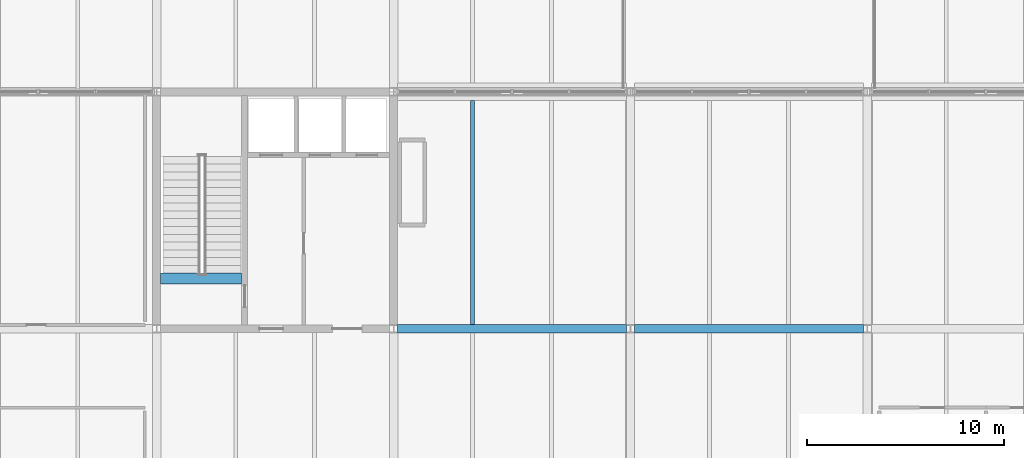
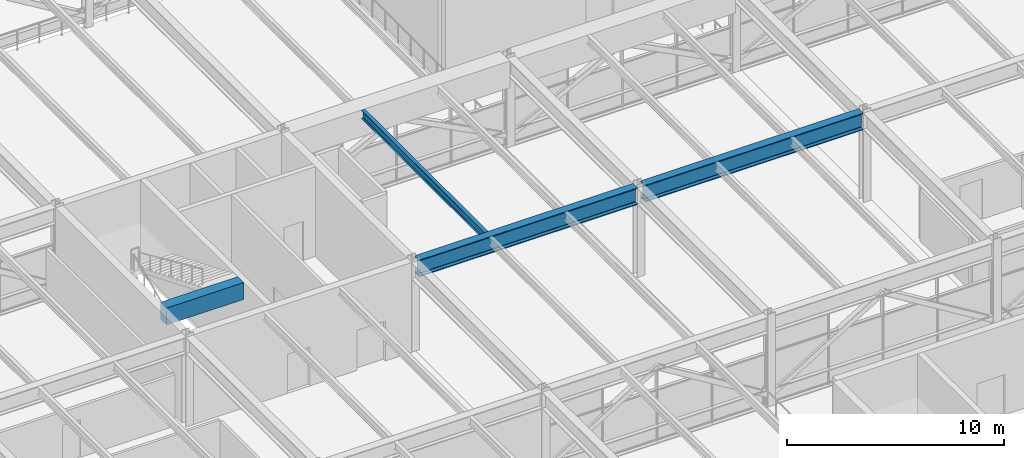
# One storey, part 14 of 42: 4 beams.
"""IFC4 building model written with IfcOpenShell, lengths in metres."""

from ifc_helpers import new_model, si_unit, direction, frame, origin, origin_2d, place, context, subcontext, project, spatial, rectangle, i_section, extrude, material, material_profile, profile_set, type_object, element, save


model = new_model("IFC4")

# Units and contexts
model_context = context("Model", 3, precision=1e-05, world=origin(), true_north=direction((0.0, 1.0)))
body_context = subcontext(model_context, "Body", "Model", "MODEL_VIEW")
ifc_project = project(units=[si_unit("LENGTHUNIT", "METRE"), si_unit("AREAUNIT", "SQUARE_METRE"), si_unit("VOLUMEUNIT", "CUBIC_METRE"), si_unit("PLANEANGLEUNIT", "RADIAN"), si_unit("MASSUNIT", "GRAM", prefix="KILO")], contexts=[model_context])

# Site, building, storey
site_placement = place(None, origin())
site = spatial("IfcSite", under=ifc_project, at=site_placement, CompositionType="ELEMENT")
building_placement = place(site_placement, origin())
building = spatial("IfcBuilding", under=site, at=building_placement, Name="Girod Span Mobility Hub", CompositionType="ELEMENT")
storey_placement = place(building_placement, frame((0.0, 0.0, 32.39990234375)))
storey = spatial("IfcBuildingStorey", under=building, at=storey_placement, Name="L08", CompositionType="ELEMENT", Elevation=32.39990234375)

# Beams
ifc_material_1 = material(Name="Concrete C40/50", Category="concrete")
ifc_material_profile_1 = material_profile(ifc_material_1, rectangle(XDim=0.550048828125, YDim=0.949951171875, at=origin_2d()), Name="RK-550X950")
ifc_profile_set_1 = profile_set([ifc_material_profile_1], Name="Concrete C40/50")
beam_type_1 = type_object("IfcBeamType", Name="BM-RK-550X950", PredefinedType="BEAM", material=ifc_profile_set_1)
beam_1_placement = place(storey_placement, frame((48.197021484375, 59.550048828125, 4.565185546875), z_axis=(1.0, 0.0, 0.0), x_axis=(0.0, 1.0, 0.0)))
element("IfcBeam", 1, at=beam_1_placement, inside=storey, type_object=beam_type_1, Name="Stair ST-1 Landing Header Beam L08", PredefinedType="BEAM", context=body_context, shape_type="SweptSolid", body=[
    extrude(rectangle(XDim=0.550048828125, YDim=0.949951171875, at=origin_2d()), origin(), (0.0, 0.0, 1.0), 4.10595703125),
])
ifc_material_2 = material(Name="Steel A992 Grade 50", Category="steel")
ifc_material_profile_2 = material_profile(ifc_material_2, i_section(OverallWidth=0.19189453125, OverallDepth=0.462890625, WebThickness=0.010498046875, FlangeThickness=0.017578125, FilletRadius=0.013916015625, at=origin_2d()), Name="W18X60")
ifc_profile_set_2 = profile_set([ifc_material_profile_2], Name="Steel A992 Grade 50")
beam_type_2 = type_object("IfcBeamType", Name="BM-STL-W18X60", PredefinedType="BEAM", material=ifc_profile_set_2)
beam_2_placement = place(storey_placement, frame((64.0, 57.20849609375, 4.80859375), z_axis=(0.0, 1.0, 0.0), x_axis=(-1.0, 0.0, 0.0)))
element("IfcBeam", 2, at=beam_2_placement, inside=storey, type_object=beam_type_2, Name="Composite Floorbeam 6/E-1 L08", PredefinedType="BEAM", context=body_context, shape_type="SweptSolid", body=[
    extrude(i_section(OverallWidth=0.19189453125, OverallDepth=0.462890625, WebThickness=0.010498046875, FlangeThickness=0.017578125, FilletRadius=0.013916015625, at=origin_2d()), origin(), (0.0, 0.0, 1.0), 11.344482421875),
])
ifc_material_3 = material(Name="Steel A992 Grade 50", Category="steel")
ifc_material_profile_3 = material_profile(ifc_material_3, i_section(OverallWidth=0.423095703125, OverallDepth=0.93994140625, WebThickness=0.02392578125, FlangeThickness=0.042724609375, FilletRadius=0.02392578125, at=origin_2d()), Name="W36X302")
ifc_profile_set_3 = profile_set([ifc_material_profile_3], Name="Steel A992 Grade 50")
beam_type_3 = type_object("IfcBeamType", Name="BM-STL-W36X302", PredefinedType="BEAM", material=ifc_profile_set_3)
for number, where, z_axis, x_axis, name in (
    (3, (60.199951171875, 57.0, 4.570068359375), (1.0, 0.0, 0.0), (0.0, 1.0, 0.0), "Girder 6-7/E L08"),
    (4, (72.199951171875, 57.0, 4.570068359375), (1.0, 0.0, 0.0), (0.0, 1.0, 0.0), "Girder 7-8/E L08"),
):
    element("IfcBeam", number, at=place(storey_placement, frame(where, z_axis=z_axis, x_axis=x_axis)), inside=storey, type_object=beam_type_3, Name=name, PredefinedType="BEAM", context=body_context, shape_type="SweptSolid", body=[
        extrude(i_section(OverallWidth=0.423095703125, OverallDepth=0.93994140625, WebThickness=0.02392578125, FlangeThickness=0.042724609375, FilletRadius=0.02392578125, at=origin_2d()), origin(), (0.0, 0.0, 1.0), 11.60009765625),
    ])

save(model, "model.ifc")
